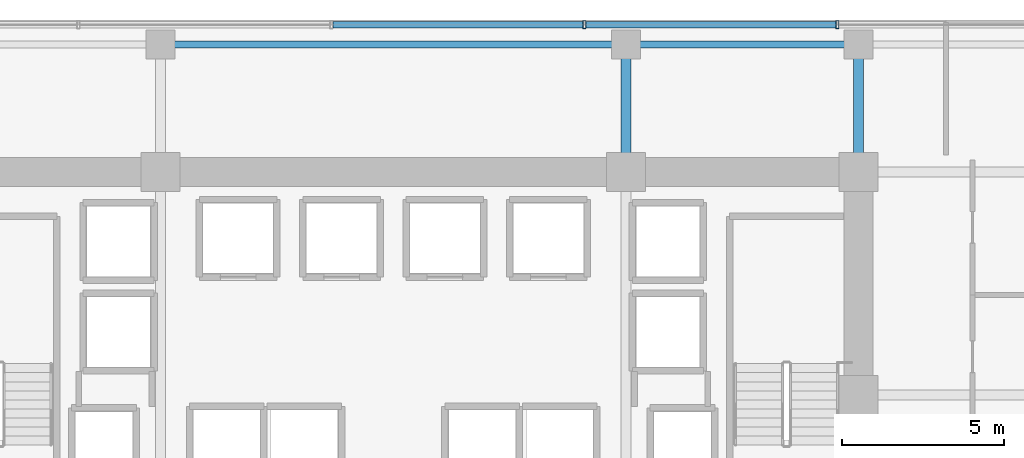
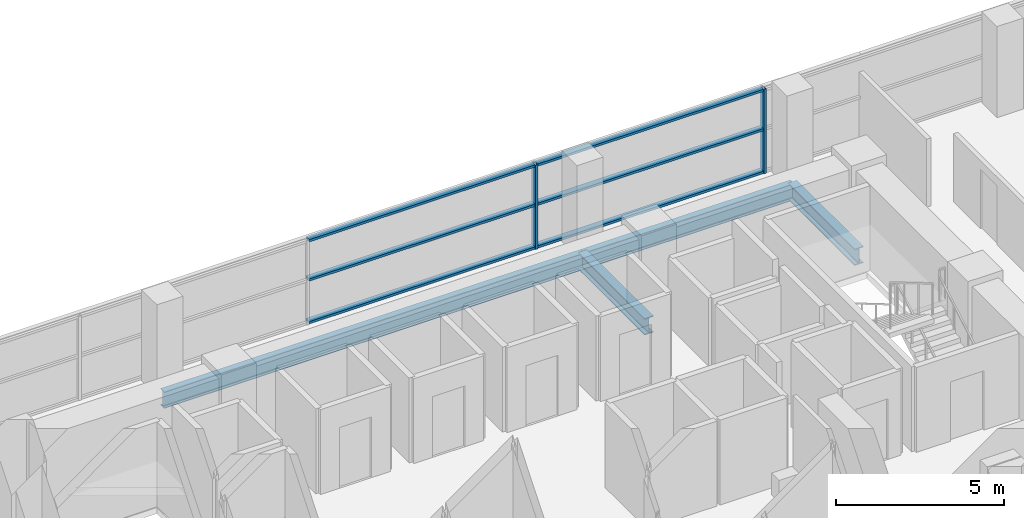
# One storey, part 20 of 32: 8 members, 4 beams, 1 element without a shape of its own.
"""IFC4 building model written with IfcOpenShell, lengths in metres."""

import ifcopenshell
import ifcopenshell.guid

model = None  # the IFC model being written
_history = None  # IfcOwnerHistory: only IFC2X3 demands one
_inside = {}  # id of a spatial element -> (the spatial element, [elements in it])
_under = {}  # id of a project, library or spatial element -> (it, [spatial elements below it])
_declared = {}  # id of a project -> (the project, [libraries it declares])
_typed = {}  # id of a type object -> (the type object, [elements of that type])
_made_of = {}  # id of a material, layer set ... -> (it, [elements and type objects made of it])


def new_model(schema):
    """Start an empty IFC model of exactly this schema.

    Asked for "IFC4X3", IfcOpenShell would pick the latest addendum, in which some entities
    have other attributes; the version numbers below select the first issue.
    IFC2X3 requires an IfcOwnerHistory on every rooted entity: one is made here for all.
    """
    global model, _history
    if schema == "IFC4X3":
        model = ifcopenshell.file(schema_version=(4, 3, 0, 0))
    else:
        model = ifcopenshell.file(schema=schema)
    _inside.clear()
    _under.clear()
    _declared.clear()
    _typed.clear()
    _made_of.clear()
    _history = None
    if model.schema == "IFC2X3":
        org = make("IfcOrganization", Name="unknown")
        user = make(
            "IfcPersonAndOrganization",
            ThePerson=make("IfcPerson", FamilyName="unknown"),
            TheOrganization=org,
        )
        app = make(
            "IfcApplication",
            ApplicationDeveloper=org,
            Version="unknown",
            ApplicationFullName="unknown",
            ApplicationIdentifier="unknown",
        )
        _history = make(
            "IfcOwnerHistory",
            OwningUser=user,
            OwningApplication=app,
            ChangeAction="ADDED",
            CreationDate=0,
        )
    return model


def make(cls, **values):
    """One entity of the class cls with the attributes given. An attribute that is None is left unset."""
    return model.create_entity(
        cls, **{name: value for name, value in values.items() if value is not None}
    )


def rooted(cls, **values):
    """An entity with a GlobalId (a new one), such as an element, a storey or a relation."""
    return make(cls, GlobalId=ifcopenshell.guid.new(), OwnerHistory=_history, **values)


def si_unit(unit_type, name, prefix=None):
    """IfcSIUnit, for example si_unit("LENGTHUNIT", "METRE", prefix="MILLI")."""
    return make("IfcSIUnit", UnitType=unit_type, Prefix=prefix, Name=name)


def assignment(units):
    """IfcUnitAssignment: the units of a project."""
    return None if units is None else make("IfcUnitAssignment", Units=units)


def point(xyz):
    """IfcCartesianPoint."""
    return None if xyz is None else make("IfcCartesianPoint", Coordinates=xyz)


def direction(xyz):
    """IfcDirection."""
    return None if xyz is None else make("IfcDirection", DirectionRatios=xyz)


def frame(location, z_axis=None, x_axis=None):
    """IfcAxis2Placement3D, a coordinate frame: its origin and axes. An axis left out is left unset."""
    return make(
        "IfcAxis2Placement3D",
        Location=point(location),
        Axis=direction(z_axis),
        RefDirection=direction(x_axis),
    )


def frame_2d(location, x_axis=None):
    """IfcAxis2Placement2D, a coordinate frame in the plane: its origin and x axis."""
    return make(
        "IfcAxis2Placement2D", Location=point(location), RefDirection=direction(x_axis)
    )


def origin():
    """The frame at (0, 0, 0) with its axes left unset."""
    return frame((0.0, 0.0, 0.0))


def origin_2d():
    """The frame at (0, 0) in the plane with its x axis left unset."""
    return frame_2d((0.0, 0.0))


def place(relative_to, where):
    """IfcLocalPlacement: puts the frame where relative to a parent placement (None: the world)."""
    return make(
        "IfcLocalPlacement", PlacementRelTo=relative_to, RelativePlacement=where
    )


def context(
    kind, dimensions, precision=None, world=None, true_north=None, identifier=None
):
    """IfcGeometricRepresentationContext, for example the 3D "Model" context."""
    return make(
        "IfcGeometricRepresentationContext",
        ContextIdentifier=identifier,
        ContextType=kind,
        CoordinateSpaceDimension=dimensions,
        Precision=precision,
        WorldCoordinateSystem=world,
        TrueNorth=true_north,
    )


def subcontext(parent, identifier, kind, view, scale=None):
    """IfcGeometricRepresentationSubContext, for example "Body" below "Model"."""
    return make(
        "IfcGeometricRepresentationSubContext",
        ContextIdentifier=identifier,
        ContextType=kind,
        ParentContext=parent,
        TargetScale=scale,
        TargetView=view,
    )


def project(units=None, contexts=None):
    """IfcProject with its units and contexts."""
    return rooted(
        "IfcProject",
        Name="project",
        RepresentationContexts=contexts,
        UnitsInContext=assignment(units),
    )


def spatial(cls, under=None, at=None, **own):
    """A site, building, storey or space (cls), placed at a placement, below another one or the project."""
    s = rooted(cls, ObjectPlacement=at, **own)
    if under is not None:
        _under.setdefault(under.id(), (under, []))[1].append(s)
    return s


def profile(cls, at=None, kind="AREA", **sizes):
    """A parametric profile (cls). Its sizes go by their IFC names, for example OverallWidth=200.0."""
    return make(cls, ProfileType=kind, Position=at, **sizes)


def hollow_rectangle(**sizes):
    """IfcRectangleHollowProfileDef."""
    return profile("IfcRectangleHollowProfileDef", **sizes)


def i_section(**sizes):
    """IfcIShapeProfileDef."""
    return profile("IfcIShapeProfileDef", **sizes)


def extrude(swept, where, along, depth):
    """IfcExtrudedAreaSolid: the profile swept, set in the frame where, extruded along a direction by depth."""
    return make(
        "IfcExtrudedAreaSolid",
        SweptArea=swept,
        Position=where,
        ExtrudedDirection=direction(along),
        Depth=depth,
    )


def shape(context_of_items, identifier, shape_type, items):
    """IfcShapeRepresentation: the items that make up one representation, for example the "Body"."""
    return make(
        "IfcShapeRepresentation",
        ContextOfItems=context_of_items,
        RepresentationIdentifier=identifier,
        RepresentationType=shape_type,
        Items=items,
    )


def source(mapping_origin, context_of_items, identifier, shape_type, items):
    """IfcRepresentationMap: a shape defined once, which mapped items show again and again."""
    return make(
        "IfcRepresentationMap",
        MappingOrigin=mapping_origin,
        MappedRepresentation=shape(context_of_items, identifier, shape_type, items),
    )


def transform(
    local_origin,
    x_axis=None,
    y_axis=None,
    z_axis=None,
    scale=None,
    scale2=None,
    scale3=None,
    uniform=True,
):
    """IfcCartesianTransformationOperator3D, or its non-uniform kind. x_axis, y_axis, z_axis: its Axis1, 2, 3."""
    if uniform:
        return make(
            "IfcCartesianTransformationOperator3D",
            Axis1=direction(x_axis),
            Axis2=direction(y_axis),
            LocalOrigin=point(local_origin),
            Scale=scale,
            Axis3=direction(z_axis),
        )
    return make(
        "IfcCartesianTransformationOperator3DnonUniform",
        Axis1=direction(x_axis),
        Axis2=direction(y_axis),
        LocalOrigin=point(local_origin),
        Scale=scale,
        Axis3=direction(z_axis),
        Scale2=scale2,
        Scale3=scale3,
    )


def mapped(mapping_source, mapping_target):
    """IfcMappedItem: shows the shape of a source again, moved by a transform."""
    return make(
        "IfcMappedItem", MappingSource=mapping_source, MappingTarget=mapping_target
    )


def material(Name=None, Category=None):
    """IfcMaterial."""
    return make("IfcMaterial", Name=Name, Category=Category)


def layer(
    of_material, thickness, ventilated=None, Name=None, Category=None, Priority=None
):
    """IfcMaterialLayer: one layer of a wall or slab, of a material (None: an air gap)."""
    return make(
        "IfcMaterialLayer",
        Material=of_material,
        LayerThickness=thickness,
        IsVentilated=ventilated,
        Name=Name,
        Category=Category,
        Priority=Priority,
    )


def layer_set(layers, Name=None):
    """IfcMaterialLayerSet."""
    return make("IfcMaterialLayerSet", MaterialLayers=layers, LayerSetName=Name)


def material_profile(
    of_material, cross_section, Name=None, Category=None, Priority=None
):
    """IfcMaterialProfile: a cross section and its material."""
    return make(
        "IfcMaterialProfile",
        Name=Name,
        Material=of_material,
        Profile=cross_section,
        Priority=Priority,
        Category=Category,
    )


def profile_set(profiles, Name=None, composite=None):
    """IfcMaterialProfileSet."""
    return make(
        "IfcMaterialProfileSet",
        Name=Name,
        MaterialProfiles=profiles,
        CompositeProfile=composite,
    )


def made_of(thing, what):
    """Note that an element or type object is made of a material, layer set ...; save() writes the relation."""
    if what is not None:
        _made_of.setdefault(what.id(), (what, []))[1].append(thing)
    return thing


def type_object(cls, material=None, **own):
    """A type object (cls), such as IfcWallType, which elements share."""
    return made_of(rooted(cls, **own), material)


def element(
    cls,
    number,
    at=None,
    inside=None,
    cuts=None,
    type_object=None,
    material=None,
    context=None,
    identifier="Body",
    shape_type=None,
    held_by="IfcProductDefinitionShape",
    body=None,
    shapes=None,
    **own,
):
    """One element of the class cls, such as IfcWall. Its Tag is "e" and its number.

    at: its placement. inside: the storey or other place that contains it. cuts: it is an
    opening in that element (IfcRelVoidsElement). A single representation is given by context,
    identifier, shape_type and body (its items); several are given by shapes. held_by: the class
    of the entity that holds the representations. save() writes the other relations.
    """
    e = rooted(cls, Tag="e%d" % number, ObjectPlacement=at, **own)
    if body is not None:
        shapes = [shape(context, identifier, shape_type, body)]
    if shapes is not None:
        e.Representation = make(held_by, Representations=shapes)
    if inside is not None:
        _inside.setdefault(inside.id(), (inside, []))[1].append(e)
    if cuts is not None:
        rooted(
            "IfcRelVoidsElement", RelatingBuildingElement=cuts, RelatedOpeningElement=e
        )
    if type_object is not None:
        _typed.setdefault(type_object.id(), (type_object, []))[1].append(e)
    return made_of(e, material)


def aggregate(whole, parts):
    """IfcRelAggregates: a whole, such as a stair, and the parts it consists of."""
    return rooted("IfcRelAggregates", RelatingObject=whole, RelatedObjects=parts)


def save(model, path):
    """Write the relations noted so far, then the file.

    IfcRelAggregates (storeys below a building ...), IfcRelContainedInSpatialStructure (elements
    in a storey), IfcRelDefinesByType, IfcRelAssociatesMaterial and IfcRelDeclares: one each for
    every whole, place, type object, material and project.
    """
    for whole, parts in _under.values():
        aggregate(whole, parts)
    for where, things in _inside.values():
        rooted(
            "IfcRelContainedInSpatialStructure",
            RelatedElements=things,
            RelatingStructure=where,
        )
    for kind, things in _typed.values():
        rooted("IfcRelDefinesByType", RelatedObjects=things, RelatingType=kind)
    for what, things in _made_of.values():
        rooted("IfcRelAssociatesMaterial", RelatedObjects=things, RelatingMaterial=what)
    for by, libraries in _declared.values():
        rooted("IfcRelDeclares", RelatingContext=by, RelatedDefinitions=libraries)
    model.write(path)


model = new_model("IFC4")

# Units and contexts
model_context = context("Model", 3, precision=1e-05, world=origin(), true_north=direction((0.0, 1.0)))
body_context = subcontext(model_context, "Body", "Model", "MODEL_VIEW")
ifc_project = project(units=[si_unit("LENGTHUNIT", "METRE"), si_unit("AREAUNIT", "SQUARE_METRE"), si_unit("VOLUMEUNIT", "CUBIC_METRE"), si_unit("PLANEANGLEUNIT", "RADIAN"), si_unit("MASSUNIT", "GRAM", prefix="KILO")], contexts=[model_context])

# Site, building, storey
site_placement = place(None, origin())
site = spatial("IfcSite", under=ifc_project, at=site_placement, CompositionType="ELEMENT")
building_placement = place(site_placement, origin())
building = spatial("IfcBuilding", under=site, at=building_placement, Name="Zarnakvel Exchange Tower", CompositionType="ELEMENT")
storey_placement = place(building_placement, frame((0.0, 0.0, 73.60009765625)))
storey = spatial("IfcBuildingStorey", under=building, at=storey_placement, Name="L20", CompositionType="ELEMENT", Elevation=73.60009765625)

# Beams
ifc_material_1 = material(Name="Steel S355", Category="steel")
ifc_material_profile_1 = material_profile(ifc_material_1, i_section(OverallWidth=0.300048828125, OverallDepth=0.60009765625, WebThickness=0.015380859375, FlangeThickness=0.030029296875, FilletRadius=0.027099609375, at=origin_2d()))
ifc_profile_set_1 = profile_set([ifc_material_profile_1], Name="Steel S355")
beam_type_1 = type_object("IfcBeamType", Name="G-04", PredefinedType="BEAM", material=ifc_profile_set_1)
for number, where, z_axis, x_axis, name in (
    (1, (7.199951171875, 13.5, -0.525146484375), (0.0, 1.0, 0.0), (-1.0, 0.0, 0.0), "L20 Tower N-S Frame Beam"),
    (2, (14.39990234375, 13.5, -0.525146484375), (0.0, 1.0, 0.0), (-1.0, 0.0, 0.0), "L20 Tower N-S Frame Beam"),
):
    element("IfcBeam", number, at=place(storey_placement, frame(where, z_axis=z_axis, x_axis=x_axis)), inside=storey, type_object=beam_type_1, Name=name, PredefinedType="BEAM", context=body_context, shape_type="SweptSolid", body=[
        extrude(i_section(OverallWidth=0.300048828125, OverallDepth=0.60009765625, WebThickness=0.015380859375, FlangeThickness=0.030029296875, FilletRadius=0.027099609375, at=origin_2d()), origin(), (0.0, 0.0, 1.0), 3.949951171875),
    ])
ifc_material_profile_2 = material_profile(ifc_material_1, i_section(OverallWidth=0.219970703125, OverallDepth=0.60009765625, WebThickness=0.011962890625, FlangeThickness=0.01904296875, FilletRadius=0.02392578125, at=origin_2d()))
ifc_profile_set_2 = profile_set([ifc_material_profile_2], Name="Steel S355")
beam_type_2 = type_object("IfcBeamType", Name="SP-01", PredefinedType="SPANDREL", material=ifc_profile_set_2)
beam_1_placement = place(storey_placement, frame((-7.199951171875, 17.449951171875, -0.525146484375), z_axis=(1.0, 0.0, 0.0), x_axis=(0.0, 1.0, 0.0)))
element("IfcBeam", 3, at=beam_1_placement, inside=storey, type_object=beam_type_2, Name="L20 Tower E-W Frame Beam", PredefinedType="SPANDREL", context=body_context, shape_type="SweptSolid", body=[
    extrude(i_section(OverallWidth=0.219970703125, OverallDepth=0.60009765625, WebThickness=0.011962890625, FlangeThickness=0.01904296875, FilletRadius=0.02392578125, at=origin_2d()), origin(), (0.0, 0.0, 1.0), 14.39990234375),
])
beam_2_placement = place(storey_placement, frame((7.199951171875, 17.449951171875, -0.525146484375), z_axis=(1.0, 0.0, 0.0), x_axis=(0.0, 1.0, 0.0)))
element("IfcBeam", 4, at=beam_2_placement, inside=storey, type_object=beam_type_2, Name="L20 Tower E-W Frame Beam", PredefinedType="SPANDREL", context=body_context, shape_type="SweptSolid", body=[
    extrude(i_section(OverallWidth=0.219970703125, OverallDepth=0.60009765625, WebThickness=0.011962890625, FlangeThickness=0.01904296875, FilletRadius=0.02392578125, at=origin_2d()), origin(), (0.0, 0.0, 1.0), 7.199951171875),
])

# Curtain wall, members
ifc_material_2 = material(Name="Architectural Bronze Anodised Aluminium", Category="aluminium")
ifc_layer = layer(ifc_material_2, 0.239990234375)
ifc_layer_set = layer_set([ifc_layer], Name="Architectural Bronze Anodised Aluminium")
curtain_wall_type = type_object("IfcCurtainWallType", Name="CW-02", PredefinedType="NOTDEFINED", material=ifc_layer_set)
curtain_wall_placement = place(storey_placement, origin())
curtain_wall = element("IfcCurtainWall", 5, at=curtain_wall_placement, inside=storey, type_object=curtain_wall_type, Name="L20 Curtain Wall CW-L20-N1 (CW-02)", PredefinedType="NOTDEFINED")
ifc_material_profile_3 = material_profile(ifc_material_2, hollow_rectangle(XDim=0.199951171875, YDim=0.0849609375, WallThickness=0.0048828125, at=origin_2d()))
ifc_profile_set_3 = profile_set([ifc_material_profile_3], Name="Architectural Bronze Anodised Aluminium")
member_type_1 = type_object("IfcMemberType", Name="CWT-02", PredefinedType="USERDEFINED", material=ifc_profile_set_3)
shared_shape_1 = source(origin(), body_context, "Body", "SweptSolid", [
    extrude(hollow_rectangle(XDim=0.199951171875, YDim=0.0849609375, WallThickness=0.0048828125, at=origin_2d()), origin(), (0.0, 0.0, 1.0), 7.738525390625),
])
member_1_placement = place(storey_placement, frame((5.959228515625, 18.06005859375, 0.04248046875), z_axis=(1.0, 0.0, 0.0), x_axis=(0.0, 1.0, 0.0)))
member_1 = element("IfcMember", 6, at=member_1_placement, type_object=member_type_1, Name="CW-02 transom 5.1", ObjectType="TRANSOM", PredefinedType="USERDEFINED", context=body_context, shape_type="MappedRepresentation", body=[
    mapped(shared_shape_1, transform((0.0, 0.0, 0.0), x_axis=(1.0, 0.0, 0.0), y_axis=(0.0, 1.0, 0.0), z_axis=(0.0, 0.0, 1.0), scale=1.0)),
])
member_2_placement = place(storey_placement, frame((5.959228515625, 18.06005859375, 1.588623046875), z_axis=(1.0, 0.0, 0.0), x_axis=(0.0, 1.0, 0.0)))
member_2 = element("IfcMember", 7, at=member_2_placement, type_object=member_type_1, Name="CW-02 transom 5.2", ObjectType="TRANSOM", PredefinedType="USERDEFINED", context=body_context, shape_type="MappedRepresentation", body=[
    mapped(shared_shape_1, transform((0.0, 0.0, 0.0), x_axis=(1.0, 0.0, 0.0), y_axis=(0.0, 1.0, 0.0), z_axis=(0.0, 0.0, 1.0), scale=1.0)),
])
member_3_placement = place(storey_placement, frame((5.959228515625, 18.06005859375, 3.012451171875), z_axis=(1.0, 0.0, 0.0), x_axis=(0.0, 1.0, 0.0)))
member_3 = element("IfcMember", 8, at=member_3_placement, type_object=member_type_1, Name="CW-02 transom 5.3", ObjectType="TRANSOM", PredefinedType="USERDEFINED", context=body_context, shape_type="MappedRepresentation", body=[
    mapped(shared_shape_1, transform((0.0, 0.0, 0.0), x_axis=(1.0, 0.0, 0.0), y_axis=(0.0, 1.0, 0.0), z_axis=(0.0, 0.0, 1.0), scale=1.0)),
])
shared_shape_2 = source(origin(), body_context, "Body", "SweptSolid", [
    extrude(hollow_rectangle(XDim=0.199951171875, YDim=0.0849609375, WallThickness=0.0048828125, at=origin_2d()), origin(), (0.0, 0.0, 1.0), 7.73876953125),
])
member_4_placement = place(storey_placement, frame((-1.869384765625, 18.06005859375, 0.04248046875), z_axis=(1.0, 0.0, 0.0), x_axis=(0.0, 1.0, 0.0)))
member_4 = element("IfcMember", 9, at=member_4_placement, type_object=member_type_1, Name="CW-02 transom 4.1", ObjectType="TRANSOM", PredefinedType="USERDEFINED", context=body_context, shape_type="MappedRepresentation", body=[
    mapped(shared_shape_2, transform((0.0, 0.0, 0.0), x_axis=(1.0, 0.0, 0.0), y_axis=(0.0, 1.0, 0.0), z_axis=(0.0, 0.0, 1.0), scale=1.0)),
])
member_5_placement = place(storey_placement, frame((-1.869384765625, 18.06005859375, 1.588623046875), z_axis=(1.0, 0.0, 0.0), x_axis=(0.0, 1.0, 0.0)))
member_5 = element("IfcMember", 10, at=member_5_placement, type_object=member_type_1, Name="CW-02 transom 4.2", ObjectType="TRANSOM", PredefinedType="USERDEFINED", context=body_context, shape_type="MappedRepresentation", body=[
    mapped(shared_shape_2, transform((0.0, 0.0, 0.0), x_axis=(1.0, 0.0, 0.0), y_axis=(0.0, 1.0, 0.0), z_axis=(0.0, 0.0, 1.0), scale=1.0)),
])
member_6_placement = place(storey_placement, frame((-1.869384765625, 18.06005859375, 3.012451171875), z_axis=(1.0, 0.0, 0.0), x_axis=(0.0, 1.0, 0.0)))
member_6 = element("IfcMember", 11, at=member_6_placement, type_object=member_type_1, Name="CW-02 transom 4.3", ObjectType="TRANSOM", PredefinedType="USERDEFINED", context=body_context, shape_type="MappedRepresentation", body=[
    mapped(shared_shape_2, transform((0.0, 0.0, 0.0), x_axis=(1.0, 0.0, 0.0), y_axis=(0.0, 1.0, 0.0), z_axis=(0.0, 0.0, 1.0), scale=1.0)),
])
ifc_material_profile_4 = material_profile(ifc_material_2, hollow_rectangle(XDim=0.239990234375, YDim=0.090087890625, WallThickness=0.006103515625, at=origin_2d()))
ifc_profile_set_4 = profile_set([ifc_material_profile_4], Name="Architectural Bronze Anodised Aluminium")
member_type_2 = type_object("IfcMemberType", Name="CWM-02", PredefinedType="MULLION", material=ifc_profile_set_4)
shared_shape_3 = source(origin(), body_context, "Body", "SweptSolid", [
    extrude(hollow_rectangle(XDim=0.239990234375, YDim=0.090087890625, WallThickness=0.006103515625, at=origin_2d()), origin(), (0.0, 0.0, 1.0), 3.054931640625),
])
member_7_placement = place(storey_placement, frame((5.914306640625, 18.06005859375, 0.0), z_axis=(0.0, 0.0, 1.0), x_axis=(0.0, 1.0, 0.0)))
member_7 = element("IfcMember", 12, at=member_7_placement, type_object=member_type_2, Name="CW-02 mullion 5", PredefinedType="MULLION", context=body_context, shape_type="MappedRepresentation", body=[
    mapped(shared_shape_3, transform((0.0, 0.0, 0.0), x_axis=(1.0, 0.0, 0.0), y_axis=(0.0, 1.0, 0.0), z_axis=(0.0, 0.0, 1.0), scale=1.0)),
])
member_8_placement = place(storey_placement, frame((13.742919921875, 18.06005859375, 0.0), z_axis=(0.0, 0.0, 1.0), x_axis=(0.0, 1.0, 0.0)))
member_8 = element("IfcMember", 13, at=member_8_placement, type_object=member_type_2, Name="CW-02 mullion 6", PredefinedType="MULLION", context=body_context, shape_type="MappedRepresentation", body=[
    mapped(shared_shape_3, transform((0.0, 0.0, 0.0), x_axis=(1.0, 0.0, 0.0), y_axis=(0.0, 1.0, 0.0), z_axis=(0.0, 0.0, 1.0), scale=1.0)),
])
aggregate(curtain_wall, [member_7, member_8, member_4, member_5, member_6, member_1, member_2, member_3])

save(model, "model.ifc")
